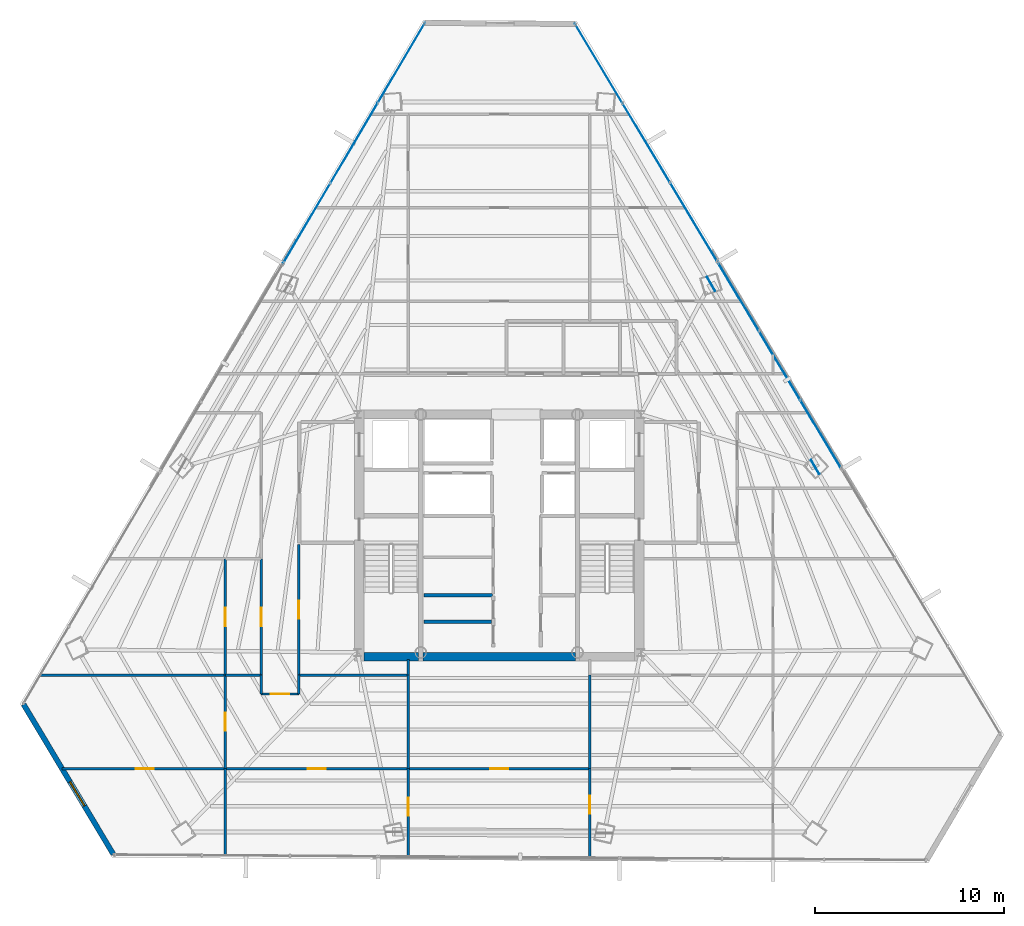
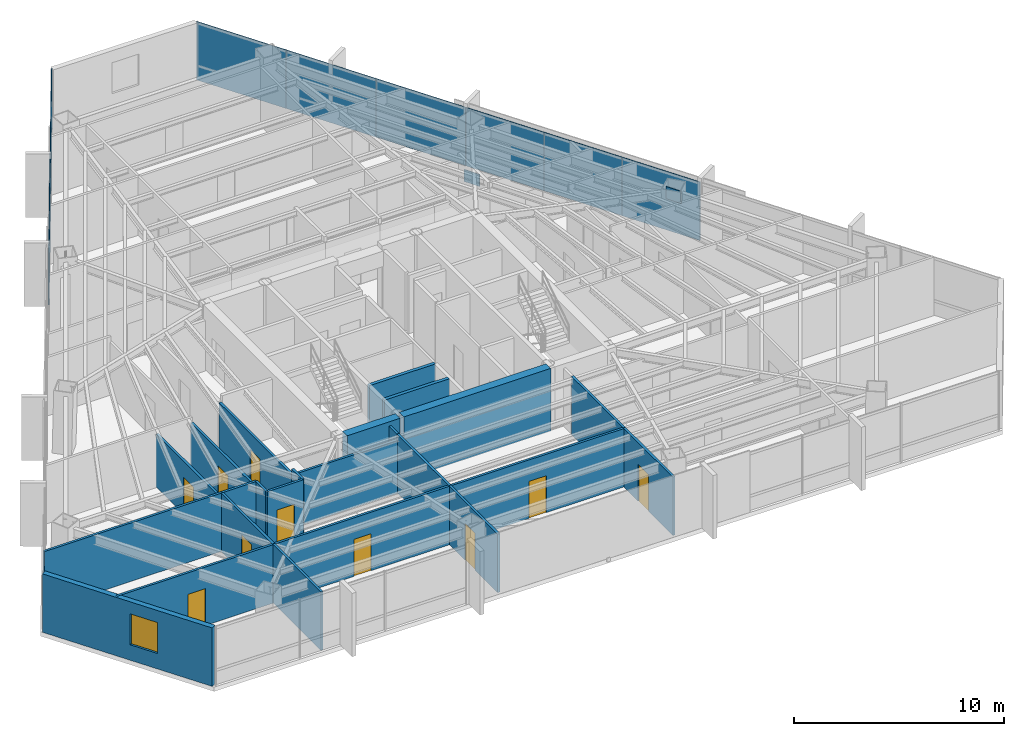
# One storey, part 35 of 41: 24 walls, 11 plates, 10 doors, 1 window, 11 openings, 3 elements without a shape of their own.
"""IFC4 building model written with IfcOpenShell, lengths in metres."""

from ifc_helpers import new_model, si_unit, direction, frame, frame_2d, origin, origin_2d, place, context, subcontext, project, spatial, rectangle, extrude, source, transform, mapped, material, layer, layer_set, type_object, type_shapes, element, fill, aggregate, save


model = new_model("IFC4")

# Units and contexts
model_context = context("Model", 3, precision=1e-05, world=origin(), true_north=direction((0.0, 1.0)))
body_context = subcontext(model_context, "Body", "Model", "MODEL_VIEW")
ifc_project = project(units=[si_unit("LENGTHUNIT", "METRE"), si_unit("AREAUNIT", "SQUARE_METRE"), si_unit("VOLUMEUNIT", "CUBIC_METRE"), si_unit("PLANEANGLEUNIT", "RADIAN"), si_unit("MASSUNIT", "GRAM", prefix="KILO")], contexts=[model_context])

# Site, building, storey
site_placement = place(None, origin())
site = spatial("IfcSite", under=ifc_project, at=site_placement, CompositionType="ELEMENT")
building_placement = place(site_placement, origin())
building = spatial("IfcBuilding", under=site, at=building_placement, Name="Caelisora Broadcast Tower", CompositionType="ELEMENT")
storey_placement = place(building_placement, frame((0.0, 0.0, 180.39990234375)))
storey = spatial("IfcBuildingStorey", under=building, at=storey_placement, Name="L47", CompositionType="ELEMENT", Elevation=180.39990234375)

# Plates
ifc_material_1 = material(Name="Steel Grade 350 L15 (AS/NZS 3678)", Category="steel")
ifc_layer_1 = layer(ifc_material_1, 0.0400390625, Name="Steel Grade 350 L15 (AS/NZS 3678)")
ifc_layer_set_1 = layer_set([ifc_layer_1], Name="Steel Grade 350 L15 (AS/NZS 3678)")
plate_type_1 = type_object("IfcPlateType", Name="GP04", PredefinedType="USERDEFINED", material=ifc_layer_set_1)
shared_shape_1 = source(origin(), body_context, "Body", "SweptSolid", [
    extrude(rectangle(XDim=0.85009765625, YDim=0.0400390625, at=origin_2d()), origin(), (0.0, 0.0, 1.0), 0.699951171875),
])
type_shapes(plate_type_1, [shared_shape_1])
for number, where, z_axis, x_axis, name in (
    (1, (54.73388671875, 27.21826171875, 2.72998046875), (0.0, 0.0, 1.0), (-0.5, 0.866025403784, 0.0), "L47 gusset plate GP04 (ND-L47-C10T)"),
    (2, (49.224853515625, 36.90478515625, -0.22998046875), (0.0, 0.0, 1.0), (-0.5, 0.866025403784, 0.0), "L47 gusset plate GP04 (ND-L47-C11B)"),
):
    element("IfcPlate", number, at=place(storey_placement, frame(where, z_axis=z_axis, x_axis=x_axis)), inside=storey, type_object=plate_type_1, Name=name, ObjectType="GUSSET PLATE", PredefinedType="USERDEFINED", context=body_context, shape_type="MappedRepresentation", body=[
        mapped(shared_shape_1, transform((0.0, 0.0, 0.0), scale=1.0)),
    ])

# Curtain wall, plates
ifc_material_2 = material(Name="Unitised Aluminium and Low-E Glass Curtain Wall", Category="glass")
curtain_wall_type_1 = type_object("IfcCurtainWallType", Name="CW-Z3", PredefinedType="NOTDEFINED", material=ifc_material_2)
curtain_wall_1_placement = place(storey_placement, origin())
curtain_wall_1 = element("IfcCurtainWall", 3, at=curtain_wall_1_placement, inside=storey, type_object=curtain_wall_type_1, Name="L47 curtain wall CW-Z3", PredefinedType="NOTDEFINED")
ifc_material_3 = material(Name="Double Glazed Low-E Argon IGU", Category="glass")
ifc_layer_2 = layer(ifc_material_3, 0.031982421875, Name="Double Glazed Low-E Argon IGU")
ifc_layer_set_2 = layer_set([ifc_layer_2], Name="Double Glazed Low-E Argon IGU")
plate_type_2 = type_object("IfcPlateType", Name="CWP-04", PredefinedType="CURTAIN_PANEL", material=ifc_layer_set_2)
shared_shape_2 = source(origin(), body_context, "Body", "SweptSolid", [
    extrude(rectangle(XDim=4.897705078125, YDim=0.031982421875, at=origin_2d()), origin(), (0.0, 0.0, 1.0), 3.39990234375),
])
plate_1_placement = place(storey_placement, frame((43.274169921875, 48.580078125, 0.000244140625), z_axis=(0.0, 0.0, 1.0), x_axis=(0.513840741921, -0.857885593737, 0.0)))
plate_1 = element("IfcPlate", 4, at=plate_1_placement, type_object=plate_type_2, Name="L47-CW-B01 glazed panel #1", PredefinedType="CURTAIN_PANEL", context=body_context, shape_type="MappedRepresentation", body=[
    mapped(shared_shape_2, transform((0.0, 0.0, 0.0), scale=1.0)),
])
plate_2_placement = place(storey_placement, frame((45.790771484375, 44.378662109375, 0.000244140625), z_axis=(0.0, 0.0, 1.0), x_axis=(0.513840741921, -0.857885593737, 0.0)))
plate_2 = element("IfcPlate", 5, at=plate_2_placement, type_object=plate_type_2, Name="L47-CW-B01 glazed panel #2", PredefinedType="CURTAIN_PANEL", context=body_context, shape_type="MappedRepresentation", body=[
    mapped(shared_shape_2, transform((0.0, 0.0, 0.0), scale=1.0)),
])
plate_3_placement = place(storey_placement, frame((48.30712890625, 40.177001953125, 0.000244140625), z_axis=(0.0, 0.0, 1.0), x_axis=(0.513840741921, -0.857885593737, 0.0)))
plate_3 = element("IfcPlate", 6, at=plate_3_placement, type_object=plate_type_2, Name="L47-CW-B01 glazed panel #3", PredefinedType="CURTAIN_PANEL", context=body_context, shape_type="MappedRepresentation", body=[
    mapped(shared_shape_2, transform((0.0, 0.0, 0.0), scale=1.0)),
])
aggregate(curtain_wall_1, [plate_1, plate_2, plate_3])

ifc_material_4 = material(Name="Unitised Aluminium Insulated Shadow-Box Spandrel Curtain Wall", Category="aluminium")
curtain_wall_type_2 = type_object("IfcCurtainWallType", Name="CW-SP2", PredefinedType="NOTDEFINED", material=ifc_material_4)
curtain_wall_2_placement = place(storey_placement, origin())
curtain_wall_2 = element("IfcCurtainWall", 7, at=curtain_wall_2_placement, inside=storey, type_object=curtain_wall_type_2, Name="L47 curtain wall CW-SP2", PredefinedType="NOTDEFINED")
ifc_material_5 = material(Name="Insulated Terracotta Shadow-Box Spandrel Panel", Category="aluminium")
ifc_layer_3 = layer(ifc_material_5, 0.0439453125, Name="Insulated Terracotta Shadow-Box Spandrel Panel")
ifc_layer_set_3 = layer_set([ifc_layer_3], Name="Insulated Terracotta Shadow-Box Spandrel Panel")
plate_type_3 = type_object("IfcPlateType", Name="CWP-10", PredefinedType="CURTAIN_PANEL", material=ifc_layer_set_3)
shared_shape_3 = source(origin(), body_context, "Body", "SweptSolid", [
    extrude(rectangle(XDim=4.255126953125, YDim=0.0439453125, at=origin_2d()), origin(), (0.0, 0.0, 1.0), 3.39990234375),
])
type_shapes(plate_type_3, [shared_shape_3])
plate_4_placement = place(storey_placement, frame((50.66357421875, 36.2421875, 0.000244140625), z_axis=(0.0, 0.0, 1.0), x_axis=(0.513840741921, -0.857885593737, 0.0)))
plate_4 = element("IfcPlate", 8, at=plate_4_placement, type_object=plate_type_3, Name="L47-CW-B02 spandrel panel #1", PredefinedType="CURTAIN_PANEL", context=body_context, shape_type="MappedRepresentation", body=[
    mapped(shared_shape_3, transform((0.0, 0.0, 0.0), scale=1.0)),
])
plate_5_placement = place(storey_placement, frame((52.85009765625, 32.591796875, 0.000244140625), z_axis=(0.0, 0.0, 1.0), x_axis=(0.513840741921, -0.857885593737, 0.0)))
plate_5 = element("IfcPlate", 9, at=plate_5_placement, type_object=plate_type_3, Name="L47-CW-B02 spandrel panel #2", PredefinedType="CURTAIN_PANEL", context=body_context, shape_type="MappedRepresentation", body=[
    mapped(shared_shape_3, transform((0.0, 0.0, 0.0), scale=1.0)),
])
plate_6_placement = place(storey_placement, frame((55.036376953125, 28.94140625, 0.000244140625), z_axis=(0.0, 0.0, 1.0), x_axis=(0.513840741921, -0.857885593737, 0.0)))
plate_6 = element("IfcPlate", 10, at=plate_6_placement, type_object=plate_type_3, Name="L47-CW-B02 spandrel panel #3", PredefinedType="CURTAIN_PANEL", context=body_context, shape_type="MappedRepresentation", body=[
    mapped(shared_shape_3, transform((0.0, 0.0, 0.0), scale=1.0)),
])
aggregate(curtain_wall_2, [plate_4, plate_5, plate_6])

curtain_wall_3_placement = place(storey_placement, origin())
curtain_wall_3 = element("IfcCurtainWall", 11, at=curtain_wall_3_placement, inside=storey, type_object=curtain_wall_type_1, Name="L47 curtain wall CW-Z3", PredefinedType="NOTDEFINED")
shared_shape_4 = source(origin(), body_context, "Body", "SweptSolid", [
    extrude(rectangle(XDim=4.930419921875, YDim=0.031982421875, at=origin_2d()), origin(), (0.0, 0.0, 1.0), 3.39990234375),
])
type_shapes(plate_type_2, [shared_shape_2, shared_shape_4])
plate_7_placement = place(storey_placement, frame((27.8154296875, 40.116943359375, 0.000244140625), z_axis=(0.0, 0.0, 1.0), x_axis=(0.508139769859, 0.861274621876, 0.0)))
plate_7 = element("IfcPlate", 12, at=plate_7_placement, type_object=plate_type_2, Name="L47-CW-B11 glazed panel #1", PredefinedType="CURTAIN_PANEL", context=body_context, shape_type="MappedRepresentation", body=[
    mapped(shared_shape_4, transform((0.0, 0.0, 0.0), scale=1.0)),
])
plate_8_placement = place(storey_placement, frame((30.3203125, 44.36328125, 0.000244140625), z_axis=(0.0, 0.0, 1.0), x_axis=(0.508139769859, 0.861274621876, 0.0)))
plate_8 = element("IfcPlate", 13, at=plate_8_placement, type_object=plate_type_2, Name="L47-CW-B11 glazed panel #2", PredefinedType="CURTAIN_PANEL", context=body_context, shape_type="MappedRepresentation", body=[
    mapped(shared_shape_4, transform((0.0, 0.0, 0.0), scale=1.0)),
])
plate_9_placement = place(storey_placement, frame((32.825439453125, 48.60986328125, 0.000244140625), z_axis=(0.0, 0.0, 1.0), x_axis=(0.508139769859, 0.861274621876, 0.0)))
plate_9 = element("IfcPlate", 14, at=plate_9_placement, type_object=plate_type_2, Name="L47-CW-B11 glazed panel #3", PredefinedType="CURTAIN_PANEL", context=body_context, shape_type="MappedRepresentation", body=[
    mapped(shared_shape_4, transform((0.0, 0.0, 0.0), scale=1.0)),
])
aggregate(curtain_wall_3, [plate_7, plate_8, plate_9])

# Walls
ifc_material_6 = material(Name="Concrete 50 MPa (AS 3600 S50)", Category="concrete")
ifc_layer_4 = layer(ifc_material_6, 0.449951171875, Name="Concrete 50 MPa (AS 3600 S50)")
ifc_layer_set_4 = layer_set([ifc_layer_4], Name="Concrete 50 MPa (AS 3600 S50)")
wall_type_1 = type_object("IfcWallType", Name="CW5", PredefinedType="SHEAR", material=ifc_layer_set_4)
wall_1_placement = place(storey_placement, frame((30.840087890625, 17.175048828125, 0.0), z_axis=(0.0, 0.0, 1.0), x_axis=(1.0, 0.0, 0.0)))
element("IfcWall", 15, at=wall_1_placement, inside=storey, type_object=wall_type_1, Name="L47 core shear wall CW5", PredefinedType="SHEAR", context=body_context, shape_type="SweptSolid", body=[
    extrude(rectangle(XDim=2.89990234375, YDim=0.449951171875, at=frame_2d((1.449951171875, 0.0))), origin(), (0.0, 0.0, 1.0), 3.650146484375),
])
wall_2_placement = place(storey_placement, frame((33.9599609375, 17.175048828125, 0.0), z_axis=(0.0, 0.0, 1.0), x_axis=(1.0, 0.0, 0.0)))
element("IfcWall", 16, at=wall_2_placement, inside=storey, type_object=wall_type_1, Name="L47 core shear wall CW5", PredefinedType="SHEAR", context=body_context, shape_type="SweptSolid", body=[
    extrude(rectangle(XDim=8.080078125, YDim=0.449951171875, at=frame_2d((4.0400390625, 0.0))), origin(), (0.0, 0.0, 1.0), 3.650146484375),
])

# Wall, opening, window
ifc_material_7 = material(Name="Insulated Terracotta Spandrel Wall System", Category="masonry")
ifc_layer_5 = layer(ifc_material_7, 0.280029296875, Name="Insulated Terracotta Spandrel Wall System")
ifc_layer_set_5 = layer_set([ifc_layer_5], Name="Insulated Terracotta Spandrel Wall System")
wall_type_2 = type_object("IfcWallType", Name="EW1", PredefinedType="STANDARD", material=ifc_layer_set_5)
wall_3_placement = place(storey_placement, frame((17.57470703125, 6.716796875, 0.0), z_axis=(0.0, 0.0, 1.0), x_axis=(-0.513738543055, 0.857946798689, 0.0)))
wall_3 = element("IfcWall", 17, at=wall_3_placement, inside=storey, type_object=wall_type_2, Name="L47 exterior envelope wall EW1", PredefinedType="STANDARD", context=body_context, shape_type="SweptSolid", body=[
    extrude(rectangle(XDim=9.248291015625, YDim=0.280029296875, at=frame_2d((4.6240234375, 0.0))), origin(), (0.0, 0.0, 1.0), 3.400146484375),
])
opening_1_placement = place(wall_3_placement, frame((2.969970703125, 0.0, 0.89990234375)))
opening_1 = element("IfcOpeningElement", 18, at=opening_1_placement, cuts=wall_3, Name="Opening W02", PredefinedType="OPENING", context=body_context, shape_type="SweptSolid", body=[
    extrude(rectangle(XDim=1.5, YDim=1.800048828125, at=frame_2d((0.75, 0.89990234375))), frame((0.0, 0.152099609375, 0.0), z_axis=(0.0, -1.0, 0.0), x_axis=(1.0, 0.0, 0.0)), (0.0, 0.0, 1.0), 0.303955078125),
])
ifc_material_8 = material(Name="Double Glazed Terracotta-Framed Vision Window", Category="glass")
window_type = type_object("IfcWindowType", Name="W02", PartitioningType="SINGLE_PANEL", PredefinedType="WINDOW", material=ifc_material_8)
window_placement = place(opening_1_placement, origin())
window = element("IfcWindow", 19, at=window_placement, inside=storey, type_object=window_type, Name="L47 window W02 (L47-WN-CH4)", OverallHeight=1.800048828125, OverallWidth=1.5, PartitioningType="SINGLE_PANEL", PredefinedType="WINDOW", context=body_context, shape_type="SweptSolid", body=[
    extrude(rectangle(XDim=1.5, YDim=1.800048828125, at=frame_2d((0.75, 0.89990234375))), frame((0.0, 0.030029296875, 0.0), z_axis=(0.0, -1.0, 0.0), x_axis=(1.0, 0.0, 0.0)), (0.0, 0.0, 1.0), 0.06005859375),
])
fill(opening_1, window)

# Walls
ifc_material_9 = material(Name="Fire-Rated Gypsum Shaft and Compartment Wall", Category="gypsum")
ifc_layer_6 = layer(ifc_material_9, 0.179931640625, Name="Fire-Rated Gypsum Shaft and Compartment Wall")
ifc_layer_set_6 = layer_set([ifc_layer_6], Name="Fire-Rated Gypsum Shaft and Compartment Wall")
wall_type_3 = type_object("IfcWallType", Name="PW2", PredefinedType="PARTITIONING", material=ifc_layer_set_6)
wall_4_placement = place(storey_placement, frame((34.02001953125, 20.419921875, 0.0), z_axis=(0.0, 0.0, 1.0), x_axis=(1.0, 0.0, 0.0)))
element("IfcWall", 20, at=wall_4_placement, inside=storey, type_object=wall_type_3, Name="L47 fire compartment wall PW2", PredefinedType="PARTITIONING", context=body_context, shape_type="SweptSolid", body=[
    extrude(rectangle(XDim=3.639892578125, YDim=0.179931640625, at=frame_2d((1.81982421875, 0.0))), origin(), (0.0, 0.0, 1.0), 3.400146484375),
])
wall_5_placement = place(storey_placement, frame((34.02001953125, 19.02001953125, 0.0), z_axis=(0.0, 0.0, 1.0), x_axis=(1.0, 0.0, 0.0)))
element("IfcWall", 21, at=wall_5_placement, inside=storey, type_object=wall_type_3, Name="L47 fire compartment wall PW2", PredefinedType="PARTITIONING", context=body_context, shape_type="SweptSolid", body=[
    extrude(rectangle(XDim=3.580078125, YDim=0.179931640625, at=frame_2d((1.7900390625, 0.0))), origin(), (0.0, 0.0, 1.0), 3.400146484375),
])
ifc_material_10 = material(Name="Acoustic Steel-Stud Plasterboard Partition", Category="gypsum")
ifc_layer_7 = layer(ifc_material_10, 0.1298828125, Name="Acoustic Steel-Stud Plasterboard Partition")
ifc_layer_set_7 = layer_set([ifc_layer_7], Name="Acoustic Steel-Stud Plasterboard Partition")
wall_type_4 = type_object("IfcWallType", Name="PW3", PredefinedType="PARTITIONING", material=ifc_layer_set_7)
wall_6_placement = place(storey_placement, frame((13.701416015625, 16.199951171875, 0.0), z_axis=(0.0, 0.0, 1.0), x_axis=(1.0, 0.0, 0.0)))
element("IfcWall", 22, at=wall_6_placement, inside=storey, type_object=wall_type_4, Name="L47 internal partition PW3", PredefinedType="PARTITIONING", context=body_context, shape_type="SweptSolid", body=[
    extrude(rectangle(XDim=9.793701171875, YDim=0.1298828125, at=frame_2d((4.89697265625, 0.0))), origin(), (0.0, 0.0, 1.0), 3.400146484375),
])

# Wall, opening, door
wall_7_placement = place(storey_placement, frame((23.5048828125, 11.25, 0.0), z_axis=(0.0, 0.0, 1.0), x_axis=(1.0, 0.0, 0.0)))
wall_7 = element("IfcWall", 23, at=wall_7_placement, inside=storey, type_object=wall_type_4, Name="L47 internal partition PW3", PredefinedType="PARTITIONING", context=body_context, shape_type="SweptSolid", body=[
    extrude(rectangle(XDim=9.690185546875, YDim=0.1298828125, at=frame_2d((4.84521484375, 0.0))), origin(), (0.0, 0.0, 1.0), 3.400146484375),
])
opening_2_placement = place(wall_7_placement, frame((4.364990234375, 0.0, 0.0)))
opening_2 = element("IfcOpeningElement", 24, at=opening_2_placement, cuts=wall_7, Name="Opening D01", PredefinedType="OPENING", context=body_context, shape_type="SweptSolid", body=[
    extrude(rectangle(XDim=0.9599609375, YDim=2.14990234375, at=frame_2d((0.47998046875, 1.074951171875))), frame((0.0, 0.076904296875, 0.0), z_axis=(0.0, -1.0, 0.0), x_axis=(1.0, 0.0, 0.0)), (0.0, 0.0, 1.0), 0.15380859375),
])
ifc_material_11 = material(Name="Solid-Core Timber Acoustic Office Door", Category="wood")
door_type = type_object("IfcDoorType", Name="D01", OperationType="NOTDEFINED", PredefinedType="DOOR", material=ifc_material_11)
door_1_placement = place(opening_2_placement, origin())
door_1 = element("IfcDoor", 25, at=door_1_placement, inside=storey, type_object=door_type, Name="L47 door D01 (L47-DR-P33D1)", OperationType="SINGLE_SWING_LEFT", OverallHeight=2.14990234375, OverallWidth=0.9599609375, PredefinedType="DOOR", context=body_context, shape_type="SweptSolid", body=[
    extrude(rectangle(XDim=0.9599609375, YDim=2.14990234375, at=frame_2d((0.47998046875, 1.074951171875))), frame((0.0, 0.02490234375, 0.0), z_axis=(0.0, -1.0, 0.0), x_axis=(1.0, 0.0, 0.0)), (0.0, 0.0, 1.0), 0.050048828125),
])
fill(opening_2, door_1)

wall_8_placement = place(storey_placement, frame((33.205078125, 11.25, 0.0), z_axis=(0.0, 0.0, 1.0), x_axis=(1.0, 0.0, 0.0)))
wall_8 = element("IfcWall", 26, at=wall_8_placement, inside=storey, type_object=wall_type_4, Name="L47 internal partition PW3", PredefinedType="PARTITIONING", context=body_context, shape_type="SweptSolid", body=[
    extrude(rectangle(XDim=9.58984375, YDim=0.1298828125, at=frame_2d((4.794921875, 0.0))), origin(), (0.0, 0.0, 1.0), 3.400146484375),
])
opening_3_placement = place(wall_8_placement, frame((4.31494140625, 0.0, 0.0)))
opening_3 = element("IfcOpeningElement", 27, at=opening_3_placement, cuts=wall_8, Name="Opening D01", PredefinedType="OPENING", context=body_context, shape_type="SweptSolid", body=[
    extrude(rectangle(XDim=0.9599609375, YDim=2.14990234375, at=frame_2d((0.47998046875, 1.074951171875))), frame((0.0, 0.076904296875, 0.0), z_axis=(0.0, -1.0, 0.0), x_axis=(1.0, 0.0, 0.0)), (0.0, 0.0, 1.0), 0.15380859375),
])
door_2_placement = place(opening_3_placement, origin())
door_2 = element("IfcDoor", 28, at=door_2_placement, inside=storey, type_object=door_type, Name="L47 door D01 (L47-DR-P36D1)", OperationType="SINGLE_SWING_RIGHT", OverallHeight=2.14990234375, OverallWidth=0.9599609375, PredefinedType="DOOR", context=body_context, shape_type="SweptSolid", body=[
    extrude(rectangle(XDim=0.9599609375, YDim=2.14990234375, at=frame_2d((0.47998046875, 1.074951171875))), frame((0.0, 0.02490234375, 0.0), z_axis=(0.0, -1.0, 0.0), x_axis=(1.0, 0.0, 0.0)), (0.0, 0.0, 1.0), 0.050048828125),
])
fill(opening_3, door_2)

wall_9_placement = place(storey_placement, frame((14.854736328125, 11.25, 0.0), z_axis=(0.0, 0.0, 1.0), x_axis=(1.0, 0.0, 0.0)))
wall_9 = element("IfcWall", 29, at=wall_9_placement, inside=storey, type_object=wall_type_4, Name="L47 internal partition PW3", PredefinedType="PARTITIONING", context=body_context, shape_type="SweptSolid", body=[
    extrude(rectangle(XDim=8.640380859375, YDim=0.1298828125, at=frame_2d((4.3203125, 0.0))), origin(), (0.0, 0.0, 1.0), 3.400146484375),
])
opening_4_placement = place(wall_9_placement, frame((3.89794921875, 0.0, 0.0)))
opening_4 = element("IfcOpeningElement", 30, at=opening_4_placement, cuts=wall_9, Name="Opening D01", PredefinedType="OPENING", context=body_context, shape_type="SweptSolid", body=[
    extrude(rectangle(XDim=0.9599609375, YDim=2.14990234375, at=frame_2d((0.47998046875, 1.074951171875))), frame((0.0, 0.076904296875, 0.0), z_axis=(0.0, -1.0, 0.0), x_axis=(1.0, 0.0, 0.0)), (0.0, 0.0, 1.0), 0.15380859375),
])
door_3_placement = place(opening_4_placement, origin())
door_3 = element("IfcDoor", 31, at=door_3_placement, inside=storey, type_object=door_type, Name="L47 door D01 (L47-DR-P40D1)", OperationType="SINGLE_SWING_RIGHT", OverallHeight=2.14990234375, OverallWidth=0.9599609375, PredefinedType="DOOR", context=body_context, shape_type="SweptSolid", body=[
    extrude(rectangle(XDim=0.9599609375, YDim=2.14990234375, at=frame_2d((0.47998046875, 1.074951171875))), frame((0.0, 0.02490234375, 0.0), z_axis=(0.0, -1.0, 0.0), x_axis=(1.0, 0.0, 0.0)), (0.0, 0.0, 1.0), 0.050048828125),
])
fill(opening_4, door_3)

wall_10_placement = place(storey_placement, frame((27.39990234375, 16.205078125, 0.0), z_axis=(0.0, 0.0, 1.0), x_axis=(0.0, 1.0, 0.0)))
wall_10 = element("IfcWall", 32, at=wall_10_placement, inside=storey, type_object=wall_type_4, Name="L47 internal partition PW3", PredefinedType="PARTITIONING", context=body_context, shape_type="SweptSolid", body=[
    extrude(rectangle(XDim=6.89990234375, YDim=0.1298828125, at=frame_2d((3.449951171875, 0.0))), origin(), (0.0, 0.0, 1.0), 3.077880859375),
])
opening_5_placement = place(wall_10_placement, frame((2.969970703125, 0.0, 0.0)))
opening_5 = element("IfcOpeningElement", 33, at=opening_5_placement, cuts=wall_10, Name="Opening D01", PredefinedType="OPENING", context=body_context, shape_type="SweptSolid", body=[
    extrude(rectangle(XDim=0.9599609375, YDim=2.14990234375, at=frame_2d((0.47998046875, 1.074951171875))), frame((0.0, 0.076904296875, 0.0), z_axis=(0.0, -1.0, 0.0), x_axis=(1.0, 0.0, 0.0)), (0.0, 0.0, 1.0), 0.15380859375),
])
door_4_placement = place(opening_5_placement, origin())
door_4 = element("IfcDoor", 34, at=door_4_placement, inside=storey, type_object=door_type, Name="L47 door D01 (L47-DR-P45D1)", OperationType="SINGLE_SWING_LEFT", OverallHeight=2.14990234375, OverallWidth=0.9599609375, PredefinedType="DOOR", context=body_context, shape_type="SweptSolid", body=[
    extrude(rectangle(XDim=0.9599609375, YDim=2.14990234375, at=frame_2d((0.47998046875, 1.074951171875))), frame((0.0, 0.02490234375, 0.0), z_axis=(0.0, -1.0, 0.0), x_axis=(1.0, 0.0, 0.0)), (0.0, 0.0, 1.0), 0.050048828125),
])
fill(opening_5, door_4)

wall_11_placement = place(storey_placement, frame((25.39990234375, 16.205078125, 0.0), z_axis=(0.0, 0.0, 1.0), x_axis=(0.0, 1.0, 0.0)))
wall_11 = element("IfcWall", 35, at=wall_11_placement, inside=storey, type_object=wall_type_4, Name="L47 internal partition PW3", PredefinedType="PARTITIONING", context=body_context, shape_type="SweptSolid", body=[
    extrude(rectangle(XDim=6.139892578125, YDim=0.1298828125, at=frame_2d((3.06982421875, 0.0))), origin(), (0.0, 0.0, 1.0), 3.077880859375),
])
opening_6_placement = place(wall_11_placement, frame((2.590087890625, 0.0, 0.0)))
opening_6 = element("IfcOpeningElement", 36, at=opening_6_placement, cuts=wall_11, Name="Opening D01", PredefinedType="OPENING", context=body_context, shape_type="SweptSolid", body=[
    extrude(rectangle(XDim=0.9599609375, YDim=2.14990234375, at=frame_2d((0.47998046875, 1.074951171875))), frame((0.0, 0.076904296875, 0.0), z_axis=(0.0, -1.0, 0.0), x_axis=(1.0, 0.0, 0.0)), (0.0, 0.0, 1.0), 0.15380859375),
])
door_5_placement = place(opening_6_placement, origin())
door_5 = element("IfcDoor", 37, at=door_5_placement, inside=storey, type_object=door_type, Name="L47 door D01 (L47-DR-P49D1)", OperationType="SINGLE_SWING_RIGHT", OverallHeight=2.14990234375, OverallWidth=0.9599609375, PredefinedType="DOOR", context=body_context, shape_type="SweptSolid", body=[
    extrude(rectangle(XDim=0.9599609375, YDim=2.14990234375, at=frame_2d((0.47998046875, 1.074951171875))), frame((0.0, 0.02490234375, 0.0), z_axis=(0.0, -1.0, 0.0), x_axis=(1.0, 0.0, 0.0)), (0.0, 0.0, 1.0), 0.050048828125),
])
fill(opening_6, door_5)

wall_12_placement = place(storey_placement, frame((23.5, 16.205078125, 0.0), z_axis=(0.0, 0.0, 1.0), x_axis=(0.0, 1.0, 0.0)))
wall_12 = element("IfcWall", 38, at=wall_12_placement, inside=storey, type_object=wall_type_4, Name="L47 internal partition PW3", PredefinedType="PARTITIONING", context=body_context, shape_type="SweptSolid", body=[
    extrude(rectangle(XDim=6.139892578125, YDim=0.1298828125, at=frame_2d((3.06982421875, 0.0))), origin(), (0.0, 0.0, 1.0), 3.077880859375),
])
opening_7_placement = place(wall_12_placement, frame((2.590087890625, 0.0, 0.0)))
opening_7 = element("IfcOpeningElement", 39, at=opening_7_placement, cuts=wall_12, Name="Opening D01", PredefinedType="OPENING", context=body_context, shape_type="SweptSolid", body=[
    extrude(rectangle(XDim=0.9599609375, YDim=2.14990234375, at=frame_2d((0.47998046875, 1.074951171875))), frame((0.0, 0.076904296875, 0.0), z_axis=(0.0, -1.0, 0.0), x_axis=(1.0, 0.0, 0.0)), (0.0, 0.0, 1.0), 0.15380859375),
])
door_6_placement = place(opening_7_placement, origin())
door_6 = element("IfcDoor", 40, at=door_6_placement, inside=storey, type_object=door_type, Name="L47 door D01 (L47-DR-P50D1)", OperationType="SINGLE_SWING_LEFT", OverallHeight=2.14990234375, OverallWidth=0.9599609375, PredefinedType="DOOR", context=body_context, shape_type="SweptSolid", body=[
    extrude(rectangle(XDim=0.9599609375, YDim=2.14990234375, at=frame_2d((0.47998046875, 1.074951171875))), frame((0.0, 0.02490234375, 0.0), z_axis=(0.0, -1.0, 0.0), x_axis=(1.0, 0.0, 0.0)), (0.0, 0.0, 1.0), 0.050048828125),
])
fill(opening_7, door_6)

# Wall
wall_13_placement = place(storey_placement, frame((27.405029296875, 16.199951171875, 0.0), z_axis=(0.0, 0.0, 1.0), x_axis=(1.0, 0.0, 0.0)))
element("IfcWall", 41, at=wall_13_placement, inside=storey, type_object=wall_type_4, Name="L47 internal partition PW3", PredefinedType="PARTITIONING", context=body_context, shape_type="SweptSolid", body=[
    extrude(rectangle(XDim=5.7900390625, YDim=0.1298828125, at=frame_2d((2.89501953125, 0.0))), origin(), (0.0, 0.0, 1.0), 3.077880859375),
])

# Wall, opening, door
wall_14_placement = place(storey_placement, frame((23.5, 11.2548828125, 0.0), z_axis=(0.0, 0.0, 1.0), x_axis=(0.0, 1.0, 0.0)))
wall_14 = element("IfcWall", 42, at=wall_14_placement, inside=storey, type_object=wall_type_4, Name="L47 internal partition PW3", PredefinedType="PARTITIONING", context=body_context, shape_type="SweptSolid", body=[
    extrude(rectangle(XDim=4.940185546875, YDim=0.1298828125, at=frame_2d((2.47021484375, 0.0))), origin(), (0.0, 0.0, 1.0), 3.400146484375),
])
opening_8_placement = place(wall_14_placement, frame((1.989990234375, 0.0, 0.0)))
opening_8 = element("IfcOpeningElement", 43, at=opening_8_placement, cuts=wall_14, Name="Opening D01", PredefinedType="OPENING", context=body_context, shape_type="SweptSolid", body=[
    extrude(rectangle(XDim=0.9599609375, YDim=2.14990234375, at=frame_2d((0.47998046875, 1.074951171875))), frame((0.0, 0.076904296875, 0.0), z_axis=(0.0, -1.0, 0.0), x_axis=(1.0, 0.0, 0.0)), (0.0, 0.0, 1.0), 0.15380859375),
])
door_7_placement = place(opening_8_placement, origin())
door_7 = element("IfcDoor", 44, at=door_7_placement, inside=storey, type_object=door_type, Name="L47 door D01 (L47-DR-P59D1)", OperationType="SINGLE_SWING_LEFT", OverallHeight=2.14990234375, OverallWidth=0.9599609375, PredefinedType="DOOR", context=body_context, shape_type="SweptSolid", body=[
    extrude(rectangle(XDim=0.9599609375, YDim=2.14990234375, at=frame_2d((0.47998046875, 1.074951171875))), frame((0.0, 0.02490234375, 0.0), z_axis=(0.0, -1.0, 0.0), x_axis=(1.0, 0.0, 0.0)), (0.0, 0.0, 1.0), 0.050048828125),
])
fill(opening_8, door_7)

# Walls
for number, where, z_axis, x_axis, name in (
    (45, (33.199951171875, 11.2548828125, 0.0), (0.0, 0.0, 1.0), (0.0, 1.0, 0.0), "L47 internal partition PW3"),
    (46, (42.800048828125, 11.2548828125, 0.0), (0.0, 0.0, 1.0), (0.0, 1.0, 0.0), "L47 internal partition PW3"),
):
    element("IfcWall", number, at=place(storey_placement, frame(where, z_axis=z_axis, x_axis=x_axis)), inside=storey, type_object=wall_type_4, Name=name, PredefinedType="PARTITIONING", context=body_context, shape_type="SweptSolid", body=[
        extrude(rectangle(XDim=4.940185546875, YDim=0.1298828125, at=frame_2d((2.47021484375, 0.0))), origin(), (0.0, 0.0, 1.0), 3.400146484375),
    ])

# Wall, opening, door
wall_15_placement = place(storey_placement, frame((42.800048828125, 6.518310546875, 0.0), z_axis=(0.0, 0.0, 1.0), x_axis=(0.0, 1.0, 0.0)))
wall_15 = element("IfcWall", 47, at=wall_15_placement, inside=storey, type_object=wall_type_4, Name="L47 internal partition PW3", PredefinedType="PARTITIONING", context=body_context, shape_type="SweptSolid", body=[
    extrude(rectangle(XDim=4.726806640625, YDim=0.1298828125, at=frame_2d((2.36328125, 0.0))), origin(), (0.0, 0.0, 1.0), 3.400146484375),
])
opening_9_placement = place(wall_15_placement, frame((2.340087890625, 0.0, 0.0)))
opening_9 = element("IfcOpeningElement", 48, at=opening_9_placement, cuts=wall_15, Name="Opening D01", PredefinedType="OPENING", context=body_context, shape_type="SweptSolid", body=[
    extrude(rectangle(XDim=0.9599609375, YDim=2.14990234375, at=frame_2d((0.47998046875, 1.074951171875))), frame((0.0, 0.076904296875, 0.0), z_axis=(0.0, -1.0, 0.0), x_axis=(1.0, 0.0, 0.0)), (0.0, 0.0, 1.0), 0.15380859375),
])
door_8_placement = place(opening_9_placement, origin())
door_8 = element("IfcDoor", 49, at=door_8_placement, inside=storey, type_object=door_type, Name="L47 door D01 (L47-DR-P66D1)", OperationType="SINGLE_SWING_LEFT", OverallHeight=2.14990234375, OverallWidth=0.9599609375, PredefinedType="DOOR", context=body_context, shape_type="SweptSolid", body=[
    extrude(rectangle(XDim=0.9599609375, YDim=2.14990234375, at=frame_2d((0.47998046875, 1.074951171875))), frame((0.0, 0.02490234375, 0.0), z_axis=(0.0, -1.0, 0.0), x_axis=(1.0, 0.0, 0.0)), (0.0, 0.0, 1.0), 0.050048828125),
])
fill(opening_9, door_8)

wall_16_placement = place(storey_placement, frame((33.199951171875, 6.58251953125, 0.0), z_axis=(0.0, 0.0, 1.0), x_axis=(0.0, 1.0, 0.0)))
wall_16 = element("IfcWall", 50, at=wall_16_placement, inside=storey, type_object=wall_type_4, Name="L47 internal partition PW3", PredefinedType="PARTITIONING", context=body_context, shape_type="SweptSolid", body=[
    extrude(rectangle(XDim=4.66259765625, YDim=0.1298828125, at=frame_2d((2.331298828125, 0.0))), origin(), (0.0, 0.0, 1.0), 3.400146484375),
])
opening_10_placement = place(wall_16_placement, frame((2.159912109375, 0.0, 0.0)))
opening_10 = element("IfcOpeningElement", 51, at=opening_10_placement, cuts=wall_16, Name="Opening D01", PredefinedType="OPENING", context=body_context, shape_type="SweptSolid", body=[
    extrude(rectangle(XDim=0.9599609375, YDim=2.14990234375, at=frame_2d((0.47998046875, 1.074951171875))), frame((0.0, 0.076904296875, 0.0), z_axis=(0.0, -1.0, 0.0), x_axis=(1.0, 0.0, 0.0)), (0.0, 0.0, 1.0), 0.15380859375),
])
door_9_placement = place(opening_10_placement, origin())
door_9 = element("IfcDoor", 52, at=door_9_placement, inside=storey, type_object=door_type, Name="L47 door D01 (L47-DR-P67D1)", OperationType="SINGLE_SWING_RIGHT", OverallHeight=2.14990234375, OverallWidth=0.9599609375, PredefinedType="DOOR", context=body_context, shape_type="SweptSolid", body=[
    extrude(rectangle(XDim=0.9599609375, YDim=2.14990234375, at=frame_2d((0.47998046875, 1.074951171875))), frame((0.0, 0.02490234375, 0.0), z_axis=(0.0, -1.0, 0.0), x_axis=(1.0, 0.0, 0.0)), (0.0, 0.0, 1.0), 0.050048828125),
])
fill(opening_10, door_9)

# Wall
wall_17_placement = place(storey_placement, frame((23.5, 6.647216796875, 0.0), z_axis=(0.0, 0.0, 1.0), x_axis=(0.0, 1.0, 0.0)))
element("IfcWall", 53, at=wall_17_placement, inside=storey, type_object=wall_type_4, Name="L47 internal partition PW3", PredefinedType="PARTITIONING", context=body_context, shape_type="SweptSolid", body=[
    extrude(rectangle(XDim=4.597900390625, YDim=0.1298828125, at=frame_2d((2.298828125, 0.0))), origin(), (0.0, 0.0, 1.0), 3.400146484375),
])

# Wall, opening, door
wall_18_placement = place(storey_placement, frame((25.405029296875, 15.199951171875, 0.0), z_axis=(0.0, 0.0, 1.0), x_axis=(1.0, 0.0, 0.0)))
wall_18 = element("IfcWall", 54, at=wall_18_placement, inside=storey, type_object=wall_type_4, Name="L47 internal partition PW3", PredefinedType="PARTITIONING", context=body_context, shape_type="SweptSolid", body=[
    extrude(rectangle(XDim=1.989990234375, YDim=0.1298828125, at=frame_2d((0.9951171875, 0.0))), origin(), (0.0, 0.0, 1.0), 3.400146484375),
])
opening_11_placement = place(wall_18_placement, frame((0.514892578125, 0.0, 0.0)))
opening_11 = element("IfcOpeningElement", 55, at=opening_11_placement, cuts=wall_18, Name="Opening D01", PredefinedType="OPENING", context=body_context, shape_type="SweptSolid", body=[
    extrude(rectangle(XDim=0.9599609375, YDim=2.14990234375, at=frame_2d((0.47998046875, 1.074951171875))), frame((0.0, 0.076904296875, 0.0), z_axis=(0.0, -1.0, 0.0), x_axis=(1.0, 0.0, 0.0)), (0.0, 0.0, 1.0), 0.15380859375),
])
door_10_placement = place(opening_11_placement, origin())
door_10 = element("IfcDoor", 56, at=door_10_placement, inside=storey, type_object=door_type, Name="L47 door D01 (L47-DR-P79D1)", OperationType="SINGLE_SWING_RIGHT", OverallHeight=2.14990234375, OverallWidth=0.9599609375, PredefinedType="DOOR", context=body_context, shape_type="SweptSolid", body=[
    extrude(rectangle(XDim=0.9599609375, YDim=2.14990234375, at=frame_2d((0.47998046875, 1.074951171875))), frame((0.0, 0.02490234375, 0.0), z_axis=(0.0, -1.0, 0.0), x_axis=(1.0, 0.0, 0.0)), (0.0, 0.0, 1.0), 0.050048828125),
])
fill(opening_11, door_10)

# Walls
wall_19_placement = place(storey_placement, frame((23.5048828125, 16.199951171875, 0.0), z_axis=(0.0, 0.0, 1.0), x_axis=(1.0, 0.0, 0.0)))
element("IfcWall", 57, at=wall_19_placement, inside=storey, type_object=wall_type_4, Name="L47 internal partition PW3", PredefinedType="PARTITIONING", context=body_context, shape_type="SweptSolid", body=[
    extrude(rectangle(XDim=1.89013671875, YDim=0.1298828125, at=frame_2d((0.945068359375, 0.0))), origin(), (0.0, 0.0, 1.0), 3.400146484375),
])
for number, where, z_axis, x_axis, name in (
    (58, (25.39990234375, 16.195068359375, 0.0), (0.0, 0.0, 1.0), (0.0, -1.0, 0.0), "L47 internal partition PW3"),
    (59, (27.39990234375, 15.205078125, 0.0), (0.0, 0.0, 1.0), (0.0, 1.0, 0.0), "L47 internal partition PW3"),
):
    element("IfcWall", number, at=place(storey_placement, frame(where, z_axis=z_axis, x_axis=x_axis)), inside=storey, type_object=wall_type_4, Name=name, PredefinedType="PARTITIONING", context=body_context, shape_type="SweptSolid", body=[
        extrude(rectangle(XDim=0.989990234375, YDim=0.1298828125, at=frame_2d((0.4951171875, 0.0))), origin(), (0.0, 0.0, 1.0), 3.400146484375),
    ])
wall_20_placement = place(storey_placement, frame((33.199951171875, 16.205078125, 0.0), z_axis=(0.0, 0.0, 1.0), x_axis=(0.0, 1.0, 0.0)))
element("IfcWall", 60, at=wall_20_placement, inside=storey, type_object=wall_type_4, Name="L47 internal partition PW3", PredefinedType="PARTITIONING", context=body_context, shape_type="SweptSolid", body=[
    extrude(rectangle(XDim=0.81982421875, YDim=0.1298828125, at=frame_2d((0.409912109375, 0.0))), origin(), (0.0, 0.0, 1.0), 3.400146484375),
])

save(model, "model.ifc")
